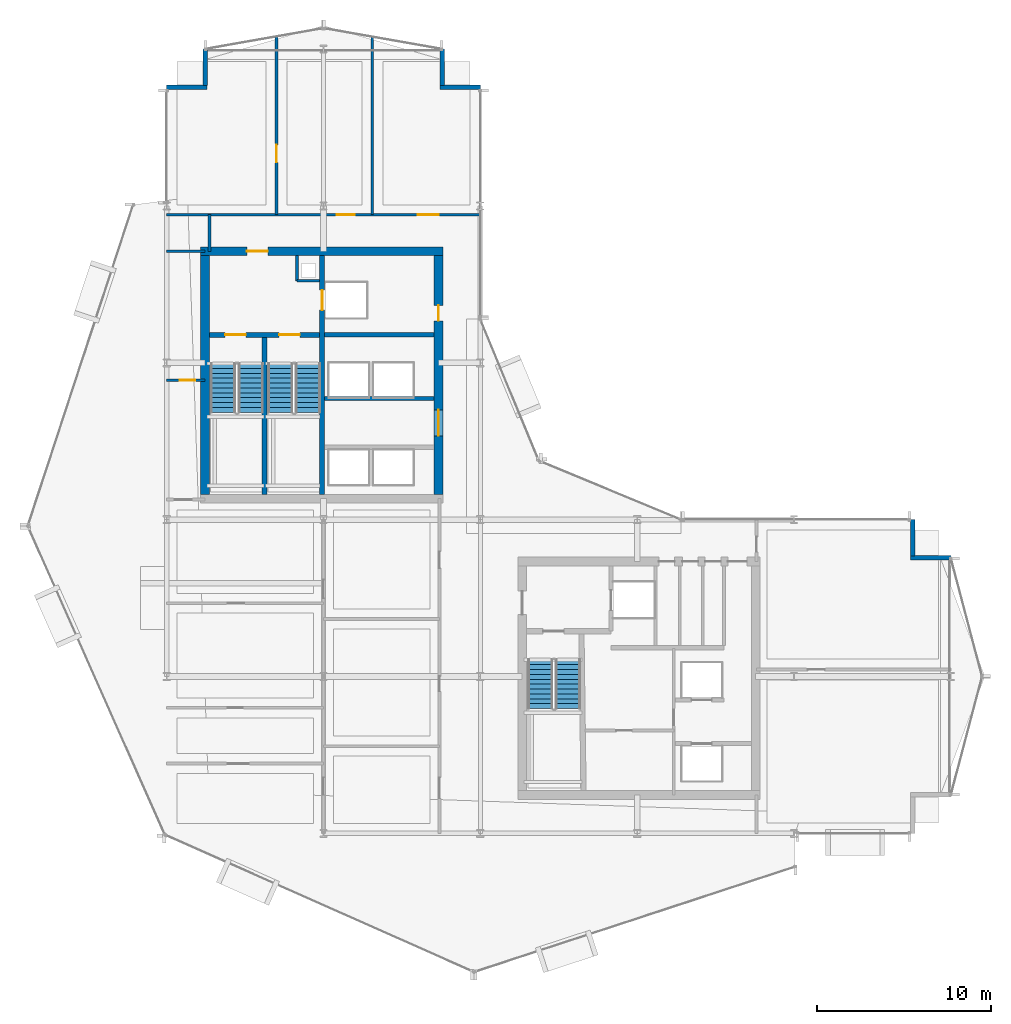
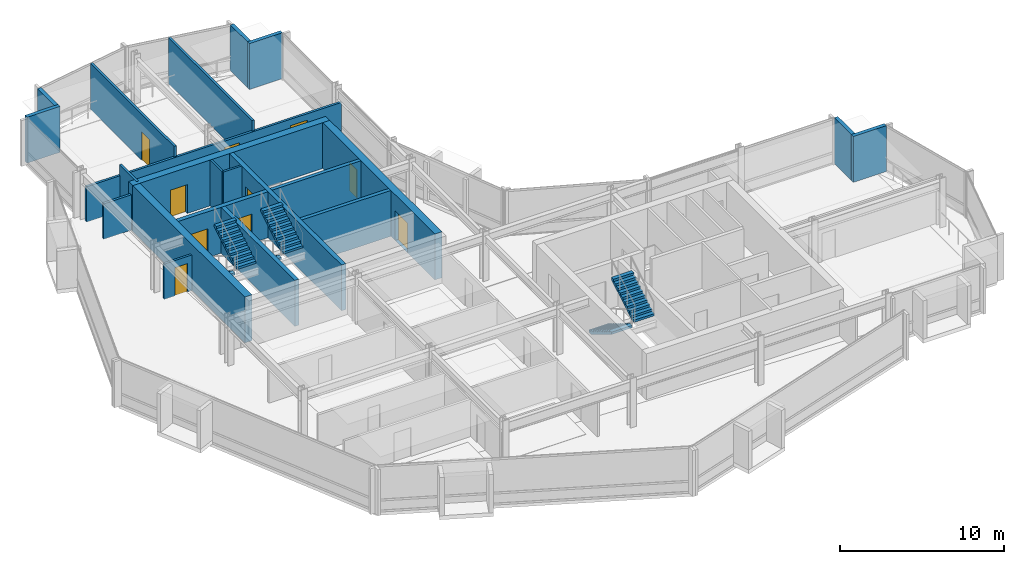
# One storey, part 23 of 28: 22 walls, 10 doors, 6 stair flights, 10 openings, 3 elements without a shape of their own.
"""IFC4 building model written with IfcOpenShell, lengths in metres."""

from ifc_helpers import new_model, si_unit, direction, frame, frame_2d, origin, place, context, subcontext, project, spatial, polyline, rectangle, outline, extrude, material, layer, layer_set, type_object, element, fill, aggregate, save


model = new_model("IFC4")

# Units and contexts
model_context = context("Model", 3, precision=1e-05, world=origin(), true_north=direction((0.0, 1.0)))
body_context = subcontext(model_context, "Body", "Model", "MODEL_VIEW")
ifc_project = project(units=[si_unit("LENGTHUNIT", "METRE"), si_unit("AREAUNIT", "SQUARE_METRE"), si_unit("VOLUMEUNIT", "CUBIC_METRE"), si_unit("PLANEANGLEUNIT", "RADIAN"), si_unit("MASSUNIT", "GRAM", prefix="KILO")], contexts=[model_context])

# Site, building, storey
site_placement = place(None, origin())
site = spatial("IfcSite", under=ifc_project, at=site_placement, CompositionType="ELEMENT")
building_placement = place(site_placement, origin())
building = spatial("IfcBuilding", under=site, at=building_placement, Name="Solvaryn Broadcast Tower", CompositionType="ELEMENT")
storey_placement = place(building_placement, frame((0.0, 0.0, 132.199951171875)))
storey = spatial("IfcBuildingStorey", under=building, at=storey_placement, Name="L32", CompositionType="ELEMENT", Elevation=132.199951171875)

# Wall, opening, door
ifc_material_1 = material(Name="Concrete f'c 70 MPa", Category="concrete")
ifc_layer_1 = layer(ifc_material_1, 0.5)
ifc_layer_set_1 = layer_set([ifc_layer_1], Name="CW-SHEAR-500")
wall_type_1 = type_object("IfcWallType", Name="CW-SHEAR-500", PredefinedType="SHEAR", material=ifc_layer_set_1)
wall_1_placement = place(storey_placement, frame((24.85009765625, 42.39990234375, 0.0), z_axis=(0.0, 0.0, 1.0), x_axis=(-1.0, 0.0, 0.0)))
wall_1 = element("IfcWall", 1, at=wall_1_placement, inside=storey, type_object=wall_type_1, Name="L32 West Core North Shear Wall", PredefinedType="SHEAR", context=body_context, shape_type="SweptSolid", body=[
    extrude(rectangle(XDim=13.900146484375, YDim=0.5, at=frame_2d((6.9501953125, 0.0))), origin(), (0.0, 0.0, 1.0), 3.420166015625),
])
opening_1_placement = place(wall_1_placement, frame((10.050048828125, 0.0, 0.0)))
opening_1 = element("IfcOpeningElement", 2, at=opening_1_placement, cuts=wall_1, Name="Opening FD90A", PredefinedType="OPENING", context=body_context, shape_type="SweptSolid", body=[
    extrude(rectangle(XDim=1.199951171875, YDim=2.14990234375, at=frame_2d((0.60009765625, 1.074951171875))), frame((0.0, 0.260009765625, 0.0), z_axis=(0.0, -1.0, 0.0), x_axis=(1.0, 0.0, 0.0)), (0.0, 0.0, 1.0), 0.52001953125),
])
ifc_material_2 = material(Name="Flush Acoustic Steel and Timber Door Assembly", Category="steel")
door_type_1 = type_object("IfcDoorType", Name="FD90-STAIR-1200X2150", OperationType="NOTDEFINED", PredefinedType="DOOR", material=ifc_material_2)
door_1_placement = place(opening_1_placement, origin())
door_1 = element("IfcDoor", 3, at=door_1_placement, inside=storey, type_object=door_type_1, Name="L32 West FSAE Lobby Corridor Door", OperationType="SINGLE_SWING_LEFT", OverallHeight=2.14990234375, OverallWidth=1.199951171875, PredefinedType="DOOR", context=body_context, shape_type="SweptSolid", body=[
    extrude(rectangle(XDim=1.199951171875, YDim=2.14990234375, at=frame_2d((0.60009765625, 1.074951171875))), frame((0.0, 0.02490234375, 0.0), z_axis=(0.0, -1.0, 0.0), x_axis=(1.0, 0.0, 0.0)), (0.0, 0.0, 1.0), 0.050048828125),
])
fill(opening_1, door_1)

# Wall
wall_2_placement = place(storey_placement, frame((11.199951171875, 42.14990234375, 0.0), z_axis=(0.0, 0.0, 1.0), x_axis=(0.0, -1.0, 0.0)))
element("IfcWall", 4, at=wall_2_placement, inside=storey, type_object=wall_type_1, Name="L32 West Core West Shear Wall", PredefinedType="SHEAR", context=body_context, shape_type="SweptSolid", body=[
    extrude(rectangle(XDim=13.699951171875, YDim=0.5, at=frame_2d((6.85009765625, 0.0))), origin(), (0.0, 0.0, 1.0), 3.420166015625),
])

# Wall, openings, doors
wall_3_placement = place(storey_placement, frame((24.60009765625, 28.449951171875, 0.0), z_axis=(0.0, 0.0, 1.0), x_axis=(0.0, 1.0, 0.0)))
wall_3 = element("IfcWall", 5, at=wall_3_placement, inside=storey, type_object=wall_type_1, Name="L32 West Core East Shear Wall", PredefinedType="SHEAR", context=body_context, shape_type="SweptSolid", body=[
    extrude(rectangle(XDim=13.699951171875, YDim=0.5, at=frame_2d((6.85009765625, 0.0))), origin(), (0.0, 0.0, 1.0), 3.420166015625),
])
opening_2_placement = place(wall_3_placement, frame((3.35009765625, 0.0, 0.0)))
opening_2 = element("IfcOpeningElement", 6, at=opening_2_placement, cuts=wall_3, Name="Opening FD60A", PredefinedType="OPENING", context=body_context, shape_type="SweptSolid", body=[
    extrude(rectangle(XDim=1.5, YDim=2.199951171875, at=frame_2d((0.75, 1.10009765625))), frame((0.0, 0.260009765625, 0.0), z_axis=(0.0, -1.0, 0.0), x_axis=(1.0, 0.0, 0.0)), (0.0, 0.0, 1.0), 0.52001953125),
])
opening_3_placement = place(wall_3_placement, frame((9.949951171875, 0.0, 0.0)))
opening_3 = element("IfcOpeningElement", 7, at=opening_3_placement, cuts=wall_3, Name="Opening FD60C", PredefinedType="OPENING", context=body_context, shape_type="SweptSolid", body=[
    extrude(rectangle(XDim=0.89990234375, YDim=2.10009765625, at=frame_2d((0.449951171875, 1.050048828125))), frame((0.0, 0.260009765625, 0.0), z_axis=(0.0, -1.0, 0.0), x_axis=(1.0, 0.0, 0.0)), (0.0, 0.0, 1.0), 0.52001953125),
])
ifc_material_3 = material(Name="Flush Acoustic Steel and Timber Door Assembly", Category="steel")
door_type_2 = type_object("IfcDoorType", Name="FD60-CORR-1500X2200", OperationType="NOTDEFINED", PredefinedType="DOOR", material=ifc_material_3)
door_2_placement = place(opening_2_placement, origin())
door_2 = element("IfcDoor", 8, at=door_2_placement, inside=storey, type_object=door_type_2, Name="L32 West Elevator Lobby Corridor Door", OperationType="DOUBLE_DOOR_SINGLE_SWING", OverallHeight=2.199951171875, OverallWidth=1.5, PredefinedType="DOOR", context=body_context, shape_type="SweptSolid", body=[
    extrude(rectangle(XDim=1.5, YDim=2.199951171875, at=frame_2d((0.75, 1.10009765625))), frame((0.0, 0.02490234375, 0.0), z_axis=(0.0, -1.0, 0.0), x_axis=(1.0, 0.0, 0.0)), (0.0, 0.0, 1.0), 0.050048828125),
])
fill(opening_2, door_2)
ifc_material_4 = material(Name="Flush Acoustic Steel and Timber Door Assembly", Category="steel")
door_type_3 = type_object("IfcDoorType", Name="FD60-SERV-900X2100", OperationType="NOTDEFINED", PredefinedType="DOOR", material=ifc_material_4)
door_3_placement = place(opening_3_placement, origin())
door_3 = element("IfcDoor", 9, at=door_3_placement, inside=storey, type_object=door_type_3, Name="L32 West Core Service Door 1", OperationType="SINGLE_SWING_LEFT", OverallHeight=2.10009765625, OverallWidth=0.89990234375, PredefinedType="DOOR", context=body_context, shape_type="SweptSolid", body=[
    extrude(rectangle(XDim=0.89990234375, YDim=2.10009765625, at=frame_2d((0.449951171875, 1.050048828125))), frame((0.0, 0.02490234375, 0.0), z_axis=(0.0, -1.0, 0.0), x_axis=(1.0, 0.0, 0.0)), (0.0, 0.0, 1.0), 0.050048828125),
])
fill(opening_3, door_3)

# Walls
ifc_material_5 = material(Name="Concrete f'c 50 MPa", Category="concrete")
ifc_layer_2 = layer(ifc_material_5, 0.260009765625)
ifc_layer_set_2 = layer_set([ifc_layer_2], Name="EW-PIER-260")
wall_type_2 = type_object("IfcWallType", Name="EW-PIER-260", PredefinedType="SOLIDWALL", material=ifc_layer_set_2)
wall_4_placement = place(storey_placement, frame((9.0, 51.800048828125, 0.0), z_axis=(0.0, 0.0, 1.0), x_axis=(1.0, 0.0, 0.0)))
element("IfcWall", 10, at=wall_4_placement, inside=storey, type_object=wall_type_2, Name="L32 Notched Corner Pier Wall NNW1", PredefinedType="SOLIDWALL", context=body_context, shape_type="SweptSolid", body=[
    extrude(rectangle(XDim=2.320068359375, YDim=0.260009765625, at=frame_2d((1.16015625, 0.0))), origin(), (0.0, 0.0, 1.0), 3.420166015625),
])
for number, where, z_axis, x_axis, name in (
    (11, (11.199951171875, 51.919921875, 0.0), (0.0, 0.0, 1.0), (0.0, 1.0, 0.0), "L32 Notched Corner Pier Wall NNW2"),
    (12, (24.800048828125, 54.0, 0.0), (0.0, 0.0, 1.0), (0.0, -1.0, 0.0), "L32 Notched Corner Pier Wall NNE1"),
):
    element("IfcWall", number, at=place(storey_placement, frame(where, z_axis=z_axis, x_axis=x_axis)), inside=storey, type_object=wall_type_2, Name=name, PredefinedType="SOLIDWALL", context=body_context, shape_type="SweptSolid", body=[
        extrude(rectangle(XDim=2.080078125, YDim=0.260009765625, at=frame_2d((1.0400390625, 0.0))), origin(), (0.0, 0.0, 1.0), 3.420166015625),
    ])
for number, where, z_axis, x_axis, name in (
    (13, (24.679931640625, 51.800048828125, 0.0), (0.0, 0.0, 1.0), (1.0, 0.0, 0.0), "L32 Notched Corner Pier Wall NNE2"),
    (14, (54.0, 24.800048828125, 0.0), (0.0, 0.0, 1.0), (-1.0, 0.0, 0.0), "L32 Notched Corner Pier Wall NEE1"),
):
    element("IfcWall", number, at=place(storey_placement, frame(where, z_axis=z_axis, x_axis=x_axis)), inside=storey, type_object=wall_type_2, Name=name, PredefinedType="SOLIDWALL", context=body_context, shape_type="SweptSolid", body=[
        extrude(rectangle(XDim=2.320068359375, YDim=0.260009765625, at=frame_2d((1.16015625, 0.0))), origin(), (0.0, 0.0, 1.0), 3.420166015625),
    ])
wall_5_placement = place(storey_placement, frame((51.800048828125, 24.919921875, 0.0), z_axis=(0.0, 0.0, 1.0), x_axis=(0.0, 1.0, 0.0)))
element("IfcWall", 15, at=wall_5_placement, inside=storey, type_object=wall_type_2, Name="L32 Notched Corner Pier Wall NEE2", PredefinedType="SOLIDWALL", context=body_context, shape_type="SweptSolid", body=[
    extrude(rectangle(XDim=2.080078125, YDim=0.260009765625, at=frame_2d((1.0400390625, 0.0))), origin(), (0.0, 0.0, 1.0), 3.420166015625),
])
ifc_material_6 = material(Name="Metal-Stud Service Core Partition")
ifc_layer_3 = layer(ifc_material_6, 0.14990234375)
ifc_layer_set_3 = layer_set([ifc_layer_3], Name="IW-PART-150")
wall_type_3 = type_object("IfcWallType", Name="IW-PART-150", PredefinedType="PARTITIONING", material=ifc_layer_set_3)
wall_6_placement = place(storey_placement, frame((16.47998046875, 40.699951171875, 0.0), z_axis=(0.0, 0.0, 1.0), x_axis=(1.0, 0.0, 0.0)))
element("IfcWall", 16, at=wall_6_placement, inside=storey, type_object=wall_type_3, Name="L32 West Core Riser Shaft South Wall", PredefinedType="PARTITIONING", context=body_context, shape_type="SweptSolid", body=[
    extrude(rectangle(XDim=1.2900390625, YDim=0.14990234375, at=frame_2d((0.64501953125, 0.0))), origin(), (0.0, 0.0, 1.0), 3.420166015625),
])
wall_7_placement = place(storey_placement, frame((16.47998046875, 40.699951171875, 0.0), z_axis=(0.0, 0.0, 1.0), x_axis=(0.0, 1.0, 0.0)))
element("IfcWall", 17, at=wall_7_placement, inside=storey, type_object=wall_type_3, Name="L32 West Core Riser Shaft West Wall", PredefinedType="PARTITIONING", context=body_context, shape_type="SweptSolid", body=[
    extrude(rectangle(XDim=1.449951171875, YDim=0.14990234375, at=frame_2d((0.72509765625, 0.0))), origin(), (0.0, 0.0, 1.0), 3.420166015625),
])

# Wall, opening, door
wall_8_placement = place(storey_placement, frame((9.0, 35.0, 0.0), z_axis=(0.0, 0.0, 1.0), x_axis=(1.0, 0.0, 0.0)))
wall_8 = element("IfcWall", 18, at=wall_8_placement, inside=storey, type_object=wall_type_3, Name="L32 Interior Partition IW-L32-WM-M", PredefinedType="PARTITIONING", context=body_context, shape_type="SweptSolid", body=[
    extrude(rectangle(XDim=2.199951171875, YDim=0.14990234375, at=frame_2d((1.10009765625, 0.0))), origin(), (0.0, 0.0, 1.0), 2.634033203125),
])
opening_4_placement = place(wall_8_placement, frame((0.75, 0.0, 0.0)))
opening_4 = element("IfcOpeningElement", 19, at=opening_4_placement, cuts=wall_8, Name="Opening FD60C", PredefinedType="OPENING", context=body_context, shape_type="SweptSolid", body=[
    extrude(rectangle(XDim=0.89990234375, YDim=2.10009765625, at=frame_2d((0.449951171875, 1.050048828125))), frame((0.0, 0.0849609375, 0.0), z_axis=(0.0, -1.0, 0.0), x_axis=(1.0, 0.0, 0.0)), (0.0, 0.0, 1.0), 0.169921875),
])
door_4_placement = place(opening_4_placement, origin())
door_4 = element("IfcDoor", 20, at=door_4_placement, inside=storey, type_object=door_type_3, Name="L32 Door DR-L32-WM1", OperationType="SINGLE_SWING_LEFT", OverallHeight=2.10009765625, OverallWidth=0.89990234375, PredefinedType="DOOR", context=body_context, shape_type="SweptSolid", body=[
    extrude(rectangle(XDim=0.89990234375, YDim=2.10009765625, at=frame_2d((0.449951171875, 1.050048828125))), frame((0.0, 0.02490234375, 0.0), z_axis=(0.0, -1.0, 0.0), x_axis=(1.0, 0.0, 0.0)), (0.0, 0.0, 1.0), 0.050048828125),
])
fill(opening_4, door_4)

# Walls
ifc_material_7 = material(Name="Metal-Stud Gypsum Office Partition")
ifc_layer_4 = layer(ifc_material_7, 0.159912109375)
ifc_layer_set_4 = layer_set([ifc_layer_4], Name="IW-PART-160")
wall_type_4 = type_object("IfcWallType", Name="IW-PART-160", PredefinedType="PARTITIONING", material=ifc_layer_set_4)
wall_9_placement = place(storey_placement, frame((9.0, 42.39990234375, 0.0), z_axis=(0.0, 0.0, 1.0), x_axis=(1.0, 0.0, 0.0)))
element("IfcWall", 21, at=wall_9_placement, inside=storey, type_object=wall_type_4, Name="L32 Interior Partition IW-L32-WM-N", PredefinedType="PARTITIONING", context=body_context, shape_type="SweptSolid", body=[
    extrude(rectangle(XDim=2.199951171875, YDim=0.159912109375, at=frame_2d((1.10009765625, 0.0))), origin(), (0.0, 0.0, 1.0), 2.634033203125),
])
wall_10_placement = place(storey_placement, frame((11.449951171875, 42.39990234375, 0.0), z_axis=(0.0, 0.0, 1.0), x_axis=(0.0, 1.0, 0.0)))
element("IfcWall", 22, at=wall_10_placement, inside=storey, type_object=wall_type_4, Name="L32 Interior Partition IW-L32-WM-E", PredefinedType="PARTITIONING", context=body_context, shape_type="SweptSolid", body=[
    extrude(rectangle(XDim=2.10009765625, YDim=0.159912109375, at=frame_2d((1.050048828125, 0.0))), origin(), (0.0, 0.0, 1.0), 3.420166015625),
])

# Wall, openings, doors
wall_11_placement = place(storey_placement, frame((9.0, 44.5, 0.0), z_axis=(0.0, 0.0, 1.0), x_axis=(1.0, 0.0, 0.0)))
wall_11 = element("IfcWall", 23, at=wall_11_placement, inside=storey, type_object=wall_type_4, Name="L32 Interior Partition IW-L32-NW-SB", PredefinedType="PARTITIONING", context=body_context, shape_type="SweptSolid", body=[
    extrude(rectangle(XDim=18.0, YDim=0.159912109375, at=frame_2d((9.0, 0.0))), origin(), (0.0, 0.0, 1.0), 2.634033203125),
])
opening_5_placement = place(wall_11_placement, frame((9.75, 0.0, 0.0)))
opening_5 = element("IfcOpeningElement", 24, at=opening_5_placement, cuts=wall_11, Name="Opening ID03", PredefinedType="OPENING", context=body_context, shape_type="SweptSolid", body=[
    extrude(rectangle(XDim=1.050048828125, YDim=2.14990234375, at=frame_2d((0.52490234375, 1.074951171875))), frame((0.0, 0.090087890625, 0.0), z_axis=(0.0, -1.0, 0.0), x_axis=(1.0, 0.0, 0.0)), (0.0, 0.0, 1.0), 0.179931640625),
])
opening_6_placement = place(wall_11_placement, frame((14.39990234375, 0.0, 0.0)))
opening_6 = element("IfcOpeningElement", 25, at=opening_6_placement, cuts=wall_11, Name="Opening ID04", PredefinedType="OPENING", context=body_context, shape_type="SweptSolid", body=[
    extrude(rectangle(XDim=1.199951171875, YDim=2.14990234375, at=frame_2d((0.60009765625, 1.074951171875))), frame((0.0, 0.090087890625, 0.0), z_axis=(0.0, -1.0, 0.0), x_axis=(1.0, 0.0, 0.0)), (0.0, 0.0, 1.0), 0.179931640625),
])
ifc_material_8 = material(Name="Flush Acoustic Steel and Timber Door Assembly", Category="steel")
door_type_4 = type_object("IfcDoorType", Name="ID-03-1050X2150", OperationType="NOTDEFINED", PredefinedType="DOOR", material=ifc_material_8)
door_5_placement = place(opening_5_placement, origin())
door_5 = element("IfcDoor", 26, at=door_5_placement, inside=storey, type_object=door_type_4, Name="L32 Door DR-L32-NW-2", OperationType="SINGLE_SWING_LEFT", OverallHeight=2.14990234375, OverallWidth=1.050048828125, PredefinedType="DOOR", context=body_context, shape_type="SweptSolid", body=[
    extrude(rectangle(XDim=1.050048828125, YDim=2.14990234375, at=frame_2d((0.52490234375, 1.074951171875))), frame((0.0, 0.02490234375, 0.0), z_axis=(0.0, -1.0, 0.0), x_axis=(1.0, 0.0, 0.0)), (0.0, 0.0, 1.0), 0.050048828125),
])
fill(opening_5, door_5)
ifc_material_9 = material(Name="Flush Acoustic Steel and Timber Door Assembly", Category="steel")
door_type_5 = type_object("IfcDoorType", Name="ID-04-1200X2150", OperationType="NOTDEFINED", PredefinedType="DOOR", material=ifc_material_9)
door_6_placement = place(opening_6_placement, origin())
door_6 = element("IfcDoor", 27, at=door_6_placement, inside=storey, type_object=door_type_5, Name="L32 Door DR-L32-NW-3", OperationType="SINGLE_SWING_RIGHT", OverallHeight=2.14990234375, OverallWidth=1.199951171875, PredefinedType="DOOR", context=body_context, shape_type="SweptSolid", body=[
    extrude(rectangle(XDim=1.199951171875, YDim=2.14990234375, at=frame_2d((0.60009765625, 1.074951171875))), frame((0.0, 0.02490234375, 0.0), z_axis=(0.0, -1.0, 0.0), x_axis=(1.0, 0.0, 0.0)), (0.0, 0.0, 1.0), 0.050048828125),
])
fill(opening_6, door_6)

# Wall, opening, door
wall_12_placement = place(storey_placement, frame((15.300048828125, 44.5, 0.0), z_axis=(0.0, 0.0, 1.0), x_axis=(0.0, 1.0, 0.0)))
wall_12 = element("IfcWall", 28, at=wall_12_placement, inside=storey, type_object=wall_type_4, Name="L32 Interior Partition IW-L32-NW-V1", PredefinedType="PARTITIONING", context=body_context, shape_type="SweptSolid", body=[
    extrude(rectangle(XDim=10.22412109375, YDim=0.159912109375, at=frame_2d((5.112060546875, 0.0))), origin(), (0.0, 0.0, 1.0), 3.420166015625),
])
opening_7_placement = place(wall_12_placement, frame((3.0, 0.0, 0.0)))
opening_7 = element("IfcOpeningElement", 29, at=opening_7_placement, cuts=wall_12, Name="Opening ID02", PredefinedType="OPENING", context=body_context, shape_type="SweptSolid", body=[
    extrude(rectangle(XDim=1.0, YDim=2.10009765625, at=frame_2d((0.5, 1.050048828125))), frame((0.0, 0.090087890625, 0.0), z_axis=(0.0, -1.0, 0.0), x_axis=(1.0, 0.0, 0.0)), (0.0, 0.0, 1.0), 0.179931640625),
])
ifc_material_10 = material(Name="Flush Acoustic Steel and Timber Door Assembly", Category="steel")
door_type_6 = type_object("IfcDoorType", Name="ID-02-1000X2100", OperationType="NOTDEFINED", PredefinedType="DOOR", material=ifc_material_10)
door_7_placement = place(opening_7_placement, origin())
door_7 = element("IfcDoor", 30, at=door_7_placement, inside=storey, type_object=door_type_6, Name="L32 Door DR-L32-NW-C1", OperationType="SINGLE_SWING_RIGHT", OverallHeight=2.10009765625, OverallWidth=1.0, PredefinedType="DOOR", context=body_context, shape_type="SweptSolid", body=[
    extrude(rectangle(XDim=1.0, YDim=2.10009765625, at=frame_2d((0.5, 1.050048828125))), frame((0.0, 0.02490234375, 0.0), z_axis=(0.0, -1.0, 0.0), x_axis=(1.0, 0.0, 0.0)), (0.0, 0.0, 1.0), 0.050048828125),
])
fill(opening_7, door_7)

# Walls
wall_13_placement = place(storey_placement, frame((20.800048828125, 44.5, 0.0), z_axis=(0.0, 0.0, 1.0), x_axis=(0.0, 1.0, 0.0)))
element("IfcWall", 31, at=wall_13_placement, inside=storey, type_object=wall_type_4, Name="L32 Interior Partition IW-L32-NW-V2", PredefinedType="PARTITIONING", context=body_context, shape_type="SweptSolid", body=[
    extrude(rectangle(XDim=10.2060546875, YDim=0.159912109375, at=frame_2d((5.10302734375, 0.0))), origin(), (0.0, 0.0, 1.0), 3.420166015625),
])
ifc_material_11 = material(Name="Concrete f'c 60 MPa", Category="concrete")
ifc_layer_5 = layer(ifc_material_11, 0.25)
ifc_layer_set_5 = layer_set([ifc_layer_5], Name="SW-SHAFT-250")
wall_type_5 = type_object("IfcWallType", Name="SW-SHAFT-250", PredefinedType="PARTITIONING", material=ifc_layer_set_5)
for number, where, z_axis, x_axis, name in (
    (32, (18.070068359375, 37.60009765625, 0.0), (0.0, 0.0, 1.0), (1.0, 0.0, 0.0), "L32 West Core FSAE Hoistway Front Wall"),
    (33, (24.35009765625, 33.949951171875, 0.0), (0.0, 0.0, 1.0), (-1.0, 0.0, 0.0), "L32 High-Rise Lift Bank North Wall"),
):
    element("IfcWall", number, at=place(storey_placement, frame(where, z_axis=z_axis, x_axis=x_axis)), inside=storey, type_object=wall_type_5, Name=name, PredefinedType="PARTITIONING", context=body_context, shape_type="SweptSolid", body=[
        extrude(rectangle(XDim=6.280029296875, YDim=0.25, at=frame_2d((3.14013671875, 0.0))), origin(), (0.0, 0.0, 1.0), 3.420166015625),
    ])
ifc_material_12 = material(Name="Concrete f'c 70 MPa", Category="concrete")
ifc_layer_6 = layer(ifc_material_12, 0.300048828125)
ifc_layer_set_6 = layer_set([ifc_layer_6], Name="SW-SHAFT-300")
wall_type_6 = type_object("IfcWallType", Name="SW-SHAFT-300", PredefinedType="SHEAR", material=ifc_layer_set_6)
wall_14_placement = place(storey_placement, frame((14.6201171875, 28.449951171875, 0.0), z_axis=(0.0, 0.0, 1.0), x_axis=(0.0, 1.0, 0.0)))
element("IfcWall", 34, at=wall_14_placement, inside=storey, type_object=wall_type_6, Name="L32 Stair 1-2 Dividing Wall", PredefinedType="SHEAR", context=body_context, shape_type="SweptSolid", body=[
    extrude(rectangle(XDim=9.0, YDim=0.300048828125, at=frame_2d((4.5, 0.0))), origin(), (0.0, 0.0, 1.0), 3.420166015625),
])

# Wall, opening, door
wall_15_placement = place(storey_placement, frame((17.919921875, 42.14990234375, 0.0), z_axis=(0.0, 0.0, 1.0), x_axis=(0.0, -1.0, 0.0)))
wall_15 = element("IfcWall", 35, at=wall_15_placement, inside=storey, type_object=wall_type_6, Name="L32 West Core Stair-Lobby Shear Wall", PredefinedType="SHEAR", context=body_context, shape_type="SweptSolid", body=[
    extrude(rectangle(XDim=13.699951171875, YDim=0.300048828125, at=frame_2d((6.85009765625, 0.0))), origin(), (0.0, 0.0, 1.0), 3.420166015625),
])
opening_8_placement = place(wall_15_placement, frame((1.97509765625, 0.0, 0.0)))
opening_8 = element("IfcOpeningElement", 36, at=opening_8_placement, cuts=wall_15, Name="Opening LD01", PredefinedType="OPENING", context=body_context, shape_type="SweptSolid", body=[
    extrude(rectangle(XDim=1.14990234375, YDim=2.14990234375, at=frame_2d((0.574951171875, 1.074951171875))), frame((0.0, 0.159912109375, 0.0), z_axis=(0.0, -1.0, 0.0), x_axis=(1.0, 0.0, 0.0)), (0.0, 0.0, 1.0), 0.320068359375),
])
ifc_material_13 = material(Name="Flush Acoustic Steel and Timber Door Assembly", Category="steel")
door_type_7 = type_object("IfcDoorType", Name="LD-LIFT-1150X2150", OperationType="NOTDEFINED", PredefinedType="DOOR", material=ifc_material_13)
door_8_placement = place(opening_8_placement, origin())
door_8 = element("IfcDoor", 37, at=door_8_placement, inside=storey, type_object=door_type_7, Name="L32 FL1 Lift Landing Door", OperationType="DOUBLE_DOOR_SLIDING", OverallHeight=2.14990234375, OverallWidth=1.14990234375, PredefinedType="DOOR", context=body_context, shape_type="SweptSolid", body=[
    extrude(rectangle(XDim=1.14990234375, YDim=2.14990234375, at=frame_2d((0.574951171875, 1.074951171875))), frame((0.0, 0.02490234375, 0.0), z_axis=(0.0, -1.0, 0.0), x_axis=(1.0, 0.0, 0.0)), (0.0, 0.0, 1.0), 0.050048828125),
])
fill(opening_8, door_8)

# Wall, openings, doors
wall_16_placement = place(storey_placement, frame((17.77001953125, 37.60009765625, 0.0), z_axis=(0.0, 0.0, 1.0), x_axis=(-1.0, 0.0, 0.0)))
wall_16 = element("IfcWall", 38, at=wall_16_placement, inside=storey, type_object=wall_type_6, Name="L32 West Core FSAE Lobby South Wall", PredefinedType="SHEAR", context=body_context, shape_type="SweptSolid", body=[
    extrude(rectangle(XDim=6.320068359375, YDim=0.300048828125, at=frame_2d((3.16015625, 0.0))), origin(), (0.0, 0.0, 1.0), 3.420166015625),
])
opening_9_placement = place(wall_16_placement, frame((4.219970703125, 0.0, 0.0)))
opening_9 = element("IfcOpeningElement", 39, at=opening_9_placement, cuts=wall_16, Name="Opening FD90A", PredefinedType="OPENING", context=body_context, shape_type="SweptSolid", body=[
    extrude(rectangle(XDim=1.199951171875, YDim=2.14990234375, at=frame_2d((0.60009765625, 1.074951171875))), frame((0.0, 0.159912109375, 0.0), z_axis=(0.0, -1.0, 0.0), x_axis=(1.0, 0.0, 0.0)), (0.0, 0.0, 1.0), 0.320068359375),
])
opening_10_placement = place(wall_16_placement, frame((1.1201171875, 0.0, 0.0)))
opening_10 = element("IfcOpeningElement", 40, at=opening_10_placement, cuts=wall_16, Name="Opening FD90A", PredefinedType="OPENING", context=body_context, shape_type="SweptSolid", body=[
    extrude(rectangle(XDim=1.199951171875, YDim=2.14990234375, at=frame_2d((0.60009765625, 1.074951171875))), frame((0.0, 0.159912109375, 0.0), z_axis=(0.0, -1.0, 0.0), x_axis=(1.0, 0.0, 0.0)), (0.0, 0.0, 1.0), 0.320068359375),
])
door_9_placement = place(opening_9_placement, origin())
door_9 = element("IfcDoor", 41, at=door_9_placement, inside=storey, type_object=door_type_1, Name="L32 Stair 1 Fire Door", OperationType="SINGLE_SWING_LEFT", OverallHeight=2.14990234375, OverallWidth=1.199951171875, PredefinedType="DOOR", context=body_context, shape_type="SweptSolid", body=[
    extrude(rectangle(XDim=1.199951171875, YDim=2.14990234375, at=frame_2d((0.60009765625, 1.074951171875))), frame((0.0, 0.02490234375, 0.0), z_axis=(0.0, -1.0, 0.0), x_axis=(1.0, 0.0, 0.0)), (0.0, 0.0, 1.0), 0.050048828125),
])
fill(opening_9, door_9)
door_10_placement = place(opening_10_placement, origin())
door_10 = element("IfcDoor", 42, at=door_10_placement, inside=storey, type_object=door_type_1, Name="L32 Stair 2 Fire Door", OperationType="SINGLE_SWING_RIGHT", OverallHeight=2.14990234375, OverallWidth=1.199951171875, PredefinedType="DOOR", context=body_context, shape_type="SweptSolid", body=[
    extrude(rectangle(XDim=1.199951171875, YDim=2.14990234375, at=frame_2d((0.60009765625, 1.074951171875))), frame((0.0, 0.02490234375, 0.0), z_axis=(0.0, -1.0, 0.0), x_axis=(1.0, 0.0, 0.0)), (0.0, 0.0, 1.0), 0.050048828125),
])
fill(opening_10, door_10)

# Stair, stair flights
ifc_material_14 = material(Name="Concrete f'c 60 MPa", Category="concrete")
stair_type = type_object("IfcStairType", Name="ST-CORE", PredefinedType="HALF_TURN_STAIR", material=ifc_material_14)
stair_1_placement = place(storey_placement, origin())
stair_1 = element("IfcStair", 43, at=stair_1_placement, inside=storey, type_object=stair_type, Name="L32 ST1", PredefinedType="HALF_TURN_STAIR")
ifc_material_15 = material(Name="Concrete f'c 60 MPa", Category="concrete")
ifc_layer_7 = layer(ifc_material_15, 0.159912109375)
ifc_layer_set_7 = layer_set([ifc_layer_7], Name="SF-CORE")
stair_flight_type = type_object("IfcStairFlightType", Name="SF-CORE", PredefinedType="STRAIGHT", material=ifc_layer_set_7)
stair_flight_1_placement = place(storey_placement, frame((12.239990234375, 35.9599609375, 0.0), z_axis=(0.0, 0.0, 1.0), x_axis=(0.0, -1.0, 0.0)))
stair_flight_1 = element("IfcStairFlight", 44, at=stair_flight_1_placement, type_object=stair_flight_type, Name="ST1 flight 1", NumberOfRisers=11, NumberOfTreads=10, PredefinedType="STRAIGHT", RiserHeight=0.168181818, TreadLength=0.28, context=body_context, shape_type="SweptSolid", body=[
    extrude(outline(polyline([(0.0, 0.0), (0.0, 0.168212890625), (0.280029296875, 0.168212890625), (0.280029296875, 0.33642578125), (0.56005859375, 0.33642578125), (0.56005859375, 0.504638671875), (0.840087890625, 0.504638671875), (0.840087890625, 0.672607421875), (1.1201171875, 0.672607421875), (1.1201171875, 0.8408203125), (1.39990234375, 0.8408203125), (1.39990234375, 1.009033203125), (1.679931640625, 1.009033203125), (1.679931640625, 1.17724609375), (1.9599609375, 1.17724609375), (1.9599609375, 1.345458984375), (2.239990234375, 1.345458984375), (2.239990234375, 1.513671875), (2.52001953125, 1.513671875), (2.52001953125, 1.681884765625), (2.800048828125, 1.681884765625), (2.800048828125, 1.85009765625), (2.800048828125, 1.5068359375), (0.291015625, 0.0), (0.0, 0.0)])), frame((0.0, 0.719970703125, 0.0), z_axis=(0.0, -1.0, 0.0), x_axis=(1.0, 0.0, 0.0)), (0.0, 0.0, 1.0), 1.43994140625),
])
stair_flight_2_placement = place(storey_placement, frame((13.830078125, 33.159912109375, 1.85009765625), z_axis=(0.0, 0.0, 1.0), x_axis=(0.0, 1.0, 0.0)))
stair_flight_2 = element("IfcStairFlight", 45, at=stair_flight_2_placement, type_object=stair_flight_type, Name="ST1 flight 2", NumberOfRisers=11, NumberOfTreads=10, PredefinedType="STRAIGHT", RiserHeight=0.168181818, TreadLength=0.28, context=body_context, shape_type="SweptSolid", body=[
    extrude(outline(polyline([(0.0, 0.0), (0.0, 0.168212890625), (0.280029296875, 0.168212890625), (0.280029296875, 0.33642578125), (0.56005859375, 0.33642578125), (0.56005859375, 0.504638671875), (0.840087890625, 0.504638671875), (0.840087890625, 0.672607421875), (1.1201171875, 0.672607421875), (1.1201171875, 0.8408203125), (1.39990234375, 0.8408203125), (1.39990234375, 1.009033203125), (1.679931640625, 1.009033203125), (1.679931640625, 1.17724609375), (1.9599609375, 1.17724609375), (1.9599609375, 1.345458984375), (2.239990234375, 1.345458984375), (2.239990234375, 1.513671875), (2.52001953125, 1.513671875), (2.52001953125, 1.681884765625), (2.800048828125, 1.681884765625), (2.800048828125, 1.85009765625), (2.800048828125, 1.5068359375), (0.291015625, 0.0), (0.0, 0.0)])), frame((0.0, 0.719970703125, 0.0), z_axis=(0.0, -1.0, 0.0), x_axis=(1.0, 0.0, 0.0)), (0.0, 0.0, 1.0), 1.43994140625),
])
aggregate(stair_1, [stair_flight_1, stair_flight_2])

stair_2_placement = place(storey_placement, origin())
stair_2 = element("IfcStair", 46, at=stair_2_placement, inside=storey, type_object=stair_type, Name="L32 ST2", PredefinedType="HALF_TURN_STAIR")
stair_flight_3_placement = place(storey_placement, frame((15.52001953125, 35.9599609375, 0.0), z_axis=(0.0, 0.0, 1.0), x_axis=(0.0, -1.0, 0.0)))
stair_flight_3 = element("IfcStairFlight", 47, at=stair_flight_3_placement, type_object=stair_flight_type, Name="ST2 flight 1", NumberOfRisers=11, NumberOfTreads=10, PredefinedType="STRAIGHT", RiserHeight=0.168181818, TreadLength=0.28, context=body_context, shape_type="SweptSolid", body=[
    extrude(outline(polyline([(0.0, 0.0), (0.0, 0.168212890625), (0.280029296875, 0.168212890625), (0.280029296875, 0.33642578125), (0.56005859375, 0.33642578125), (0.56005859375, 0.504638671875), (0.840087890625, 0.504638671875), (0.840087890625, 0.672607421875), (1.1201171875, 0.672607421875), (1.1201171875, 0.8408203125), (1.39990234375, 0.8408203125), (1.39990234375, 1.009033203125), (1.679931640625, 1.009033203125), (1.679931640625, 1.17724609375), (1.9599609375, 1.17724609375), (1.9599609375, 1.345458984375), (2.239990234375, 1.345458984375), (2.239990234375, 1.513671875), (2.52001953125, 1.513671875), (2.52001953125, 1.681884765625), (2.800048828125, 1.681884765625), (2.800048828125, 1.85009765625), (2.800048828125, 1.5068359375), (0.291015625, 0.0), (0.0, 0.0)])), frame((0.0, 0.719970703125, 0.0), z_axis=(0.0, -1.0, 0.0), x_axis=(1.0, 0.0, 0.0)), (0.0, 0.0, 1.0), 1.43994140625),
])
stair_flight_4_placement = place(storey_placement, frame((17.110107421875, 33.159912109375, 1.85009765625), z_axis=(0.0, 0.0, 1.0), x_axis=(0.0, 1.0, 0.0)))
stair_flight_4 = element("IfcStairFlight", 48, at=stair_flight_4_placement, type_object=stair_flight_type, Name="ST2 flight 2", NumberOfRisers=11, NumberOfTreads=10, PredefinedType="STRAIGHT", RiserHeight=0.168181818, TreadLength=0.28, context=body_context, shape_type="SweptSolid", body=[
    extrude(outline(polyline([(0.0, 0.0), (0.0, 0.168212890625), (0.280029296875, 0.168212890625), (0.280029296875, 0.33642578125), (0.56005859375, 0.33642578125), (0.56005859375, 0.504638671875), (0.840087890625, 0.504638671875), (0.840087890625, 0.672607421875), (1.1201171875, 0.672607421875), (1.1201171875, 0.8408203125), (1.39990234375, 0.8408203125), (1.39990234375, 1.009033203125), (1.679931640625, 1.009033203125), (1.679931640625, 1.17724609375), (1.9599609375, 1.17724609375), (1.9599609375, 1.345458984375), (2.239990234375, 1.345458984375), (2.239990234375, 1.513671875), (2.52001953125, 1.513671875), (2.52001953125, 1.681884765625), (2.800048828125, 1.681884765625), (2.800048828125, 1.85009765625), (2.800048828125, 1.5068359375), (0.291015625, 0.0), (0.0, 0.0)])), frame((0.0, 0.719970703125, 0.0), z_axis=(0.0, -1.0, 0.0), x_axis=(1.0, 0.0, 0.0)), (0.0, 0.0, 1.0), 1.43994140625),
])
aggregate(stair_2, [stair_flight_3, stair_flight_4])

stair_3_placement = place(storey_placement, origin())
stair_3 = element("IfcStair", 49, at=stair_3_placement, inside=storey, type_object=stair_type, Name="L32 ST3", PredefinedType="HALF_TURN_STAIR")
stair_flight_5_placement = place(storey_placement, frame((30.43994140625, 18.9599609375, 0.0), z_axis=(0.0, 0.0, 1.0), x_axis=(0.0, -1.0, 0.0)))
stair_flight_5 = element("IfcStairFlight", 50, at=stair_flight_5_placement, type_object=stair_flight_type, Name="ST3 flight 1", NumberOfRisers=11, NumberOfTreads=10, PredefinedType="STRAIGHT", RiserHeight=0.168181818, TreadLength=0.28, context=body_context, shape_type="SweptSolid", body=[
    extrude(outline(polyline([(0.0, 0.0), (0.0, 0.168212890625), (0.280029296875, 0.168212890625), (0.280029296875, 0.33642578125), (0.56005859375, 0.33642578125), (0.56005859375, 0.504638671875), (0.840087890625, 0.504638671875), (0.840087890625, 0.672607421875), (1.1201171875, 0.672607421875), (1.1201171875, 0.8408203125), (1.39990234375, 0.8408203125), (1.39990234375, 1.009033203125), (1.679931640625, 1.009033203125), (1.679931640625, 1.17724609375), (1.9599609375, 1.17724609375), (1.9599609375, 1.345458984375), (2.239990234375, 1.345458984375), (2.239990234375, 1.513671875), (2.52001953125, 1.513671875), (2.52001953125, 1.681884765625), (2.800048828125, 1.681884765625), (2.800048828125, 1.85009765625), (2.800048828125, 1.5068359375), (0.291015625, 0.0), (0.0, 0.0)])), frame((0.0, 0.719970703125, 0.0), z_axis=(0.0, -1.0, 0.0), x_axis=(1.0, 0.0, 0.0)), (0.0, 0.0, 1.0), 1.43994140625),
])
stair_flight_6_placement = place(storey_placement, frame((32.030029296875, 16.159912109375, 1.85009765625), z_axis=(0.0, 0.0, 1.0), x_axis=(0.0, 1.0, 0.0)))
stair_flight_6 = element("IfcStairFlight", 51, at=stair_flight_6_placement, type_object=stair_flight_type, Name="ST3 flight 2", NumberOfRisers=11, NumberOfTreads=10, PredefinedType="STRAIGHT", RiserHeight=0.168181818, TreadLength=0.28, context=body_context, shape_type="SweptSolid", body=[
    extrude(outline(polyline([(0.0, 0.0), (0.0, 0.168212890625), (0.280029296875, 0.168212890625), (0.280029296875, 0.33642578125), (0.56005859375, 0.33642578125), (0.56005859375, 0.504638671875), (0.840087890625, 0.504638671875), (0.840087890625, 0.672607421875), (1.1201171875, 0.672607421875), (1.1201171875, 0.8408203125), (1.39990234375, 0.8408203125), (1.39990234375, 1.009033203125), (1.679931640625, 1.009033203125), (1.679931640625, 1.17724609375), (1.9599609375, 1.17724609375), (1.9599609375, 1.345458984375), (2.239990234375, 1.345458984375), (2.239990234375, 1.513671875), (2.52001953125, 1.513671875), (2.52001953125, 1.681884765625), (2.800048828125, 1.681884765625), (2.800048828125, 1.85009765625), (2.800048828125, 1.5068359375), (0.291015625, 0.0), (0.0, 0.0)])), frame((0.0, 0.719970703125, 0.0), z_axis=(0.0, -1.0, 0.0), x_axis=(1.0, 0.0, 0.0)), (0.0, 0.0, 1.0), 1.43994140625),
])
aggregate(stair_3, [stair_flight_5, stair_flight_6])

save(model, "model.ifc")
